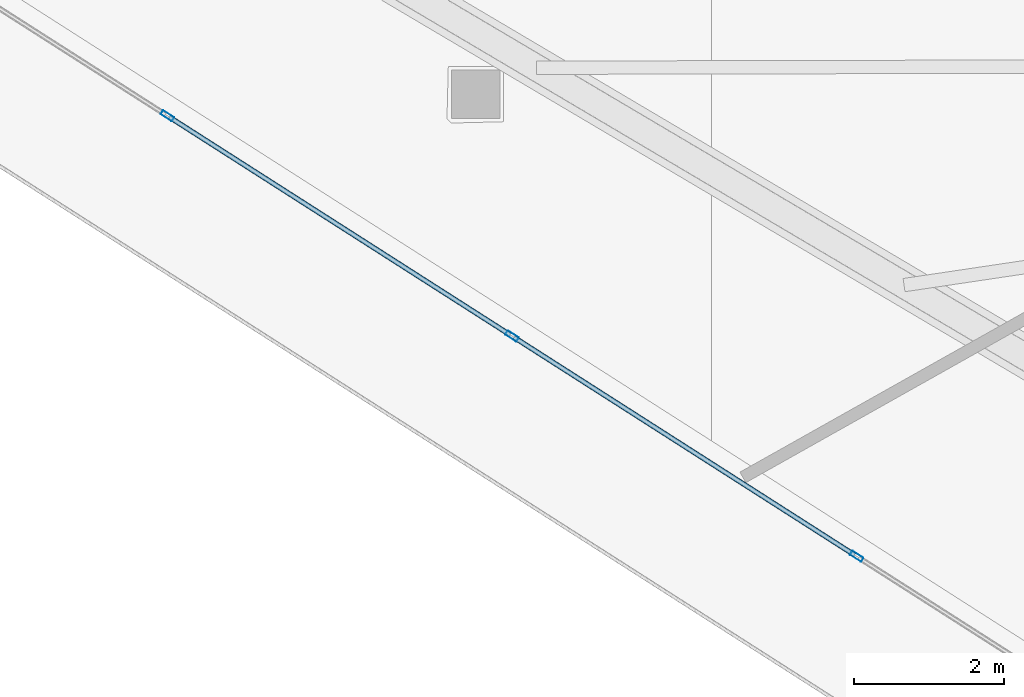
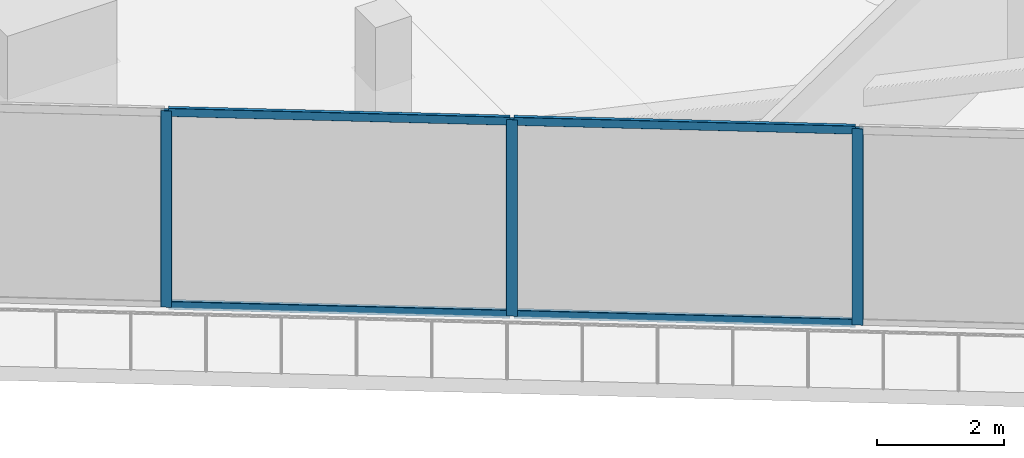
# One storey, part 3 of 40: 7 members, 1 element without a shape of its own.
"""IFC4 building model written with IfcOpenShell, lengths in metres."""

import ifcopenshell
import ifcopenshell.guid

model = None  # the IFC model being written
_history = None  # IfcOwnerHistory: only IFC2X3 demands one
_inside = {}  # id of a spatial element -> (the spatial element, [elements in it])
_under = {}  # id of a project, library or spatial element -> (it, [spatial elements below it])
_declared = {}  # id of a project -> (the project, [libraries it declares])
_typed = {}  # id of a type object -> (the type object, [elements of that type])
_made_of = {}  # id of a material, layer set ... -> (it, [elements and type objects made of it])


def new_model(schema):
    """Start an empty IFC model of exactly this schema.

    Asked for "IFC4X3", IfcOpenShell would pick the latest addendum, in which some entities
    have other attributes; the version numbers below select the first issue.
    IFC2X3 requires an IfcOwnerHistory on every rooted entity: one is made here for all.
    """
    global model, _history
    if schema == "IFC4X3":
        model = ifcopenshell.file(schema_version=(4, 3, 0, 0))
    else:
        model = ifcopenshell.file(schema=schema)
    _inside.clear()
    _under.clear()
    _declared.clear()
    _typed.clear()
    _made_of.clear()
    _history = None
    if model.schema == "IFC2X3":
        org = make("IfcOrganization", Name="unknown")
        user = make(
            "IfcPersonAndOrganization",
            ThePerson=make("IfcPerson", FamilyName="unknown"),
            TheOrganization=org,
        )
        app = make(
            "IfcApplication",
            ApplicationDeveloper=org,
            Version="unknown",
            ApplicationFullName="unknown",
            ApplicationIdentifier="unknown",
        )
        _history = make(
            "IfcOwnerHistory",
            OwningUser=user,
            OwningApplication=app,
            ChangeAction="ADDED",
            CreationDate=0,
        )
    return model


def make(cls, **values):
    """One entity of the class cls with the attributes given. An attribute that is None is left unset."""
    return model.create_entity(
        cls, **{name: value for name, value in values.items() if value is not None}
    )


def rooted(cls, **values):
    """An entity with a GlobalId (a new one), such as an element, a storey or a relation."""
    return make(cls, GlobalId=ifcopenshell.guid.new(), OwnerHistory=_history, **values)


def si_unit(unit_type, name, prefix=None):
    """IfcSIUnit, for example si_unit("LENGTHUNIT", "METRE", prefix="MILLI")."""
    return make("IfcSIUnit", UnitType=unit_type, Prefix=prefix, Name=name)


def assignment(units):
    """IfcUnitAssignment: the units of a project."""
    return None if units is None else make("IfcUnitAssignment", Units=units)


def point(xyz):
    """IfcCartesianPoint."""
    return None if xyz is None else make("IfcCartesianPoint", Coordinates=xyz)


def direction(xyz):
    """IfcDirection."""
    return None if xyz is None else make("IfcDirection", DirectionRatios=xyz)


def frame(location, z_axis=None, x_axis=None):
    """IfcAxis2Placement3D, a coordinate frame: its origin and axes. An axis left out is left unset."""
    return make(
        "IfcAxis2Placement3D",
        Location=point(location),
        Axis=direction(z_axis),
        RefDirection=direction(x_axis),
    )


def frame_2d(location, x_axis=None):
    """IfcAxis2Placement2D, a coordinate frame in the plane: its origin and x axis."""
    return make(
        "IfcAxis2Placement2D", Location=point(location), RefDirection=direction(x_axis)
    )


def origin():
    """The frame at (0, 0, 0) with its axes left unset."""
    return frame((0.0, 0.0, 0.0))


def origin_2d():
    """The frame at (0, 0) in the plane with its x axis left unset."""
    return frame_2d((0.0, 0.0))


def place(relative_to, where):
    """IfcLocalPlacement: puts the frame where relative to a parent placement (None: the world)."""
    return make(
        "IfcLocalPlacement", PlacementRelTo=relative_to, RelativePlacement=where
    )


def context(
    kind, dimensions, precision=None, world=None, true_north=None, identifier=None
):
    """IfcGeometricRepresentationContext, for example the 3D "Model" context."""
    return make(
        "IfcGeometricRepresentationContext",
        ContextIdentifier=identifier,
        ContextType=kind,
        CoordinateSpaceDimension=dimensions,
        Precision=precision,
        WorldCoordinateSystem=world,
        TrueNorth=true_north,
    )


def subcontext(parent, identifier, kind, view, scale=None):
    """IfcGeometricRepresentationSubContext, for example "Body" below "Model"."""
    return make(
        "IfcGeometricRepresentationSubContext",
        ContextIdentifier=identifier,
        ContextType=kind,
        ParentContext=parent,
        TargetScale=scale,
        TargetView=view,
    )


def project(units=None, contexts=None):
    """IfcProject with its units and contexts."""
    return rooted(
        "IfcProject",
        Name="project",
        RepresentationContexts=contexts,
        UnitsInContext=assignment(units),
    )


def spatial(cls, under=None, at=None, **own):
    """A site, building, storey or space (cls), placed at a placement, below another one or the project."""
    s = rooted(cls, ObjectPlacement=at, **own)
    if under is not None:
        _under.setdefault(under.id(), (under, []))[1].append(s)
    return s


def profile(cls, at=None, kind="AREA", **sizes):
    """A parametric profile (cls). Its sizes go by their IFC names, for example OverallWidth=200.0."""
    return make(cls, ProfileType=kind, Position=at, **sizes)


def hollow_rectangle(**sizes):
    """IfcRectangleHollowProfileDef."""
    return profile("IfcRectangleHollowProfileDef", **sizes)


def extrude(swept, where, along, depth):
    """IfcExtrudedAreaSolid: the profile swept, set in the frame where, extruded along a direction by depth."""
    return make(
        "IfcExtrudedAreaSolid",
        SweptArea=swept,
        Position=where,
        ExtrudedDirection=direction(along),
        Depth=depth,
    )


def shape(context_of_items, identifier, shape_type, items):
    """IfcShapeRepresentation: the items that make up one representation, for example the "Body"."""
    return make(
        "IfcShapeRepresentation",
        ContextOfItems=context_of_items,
        RepresentationIdentifier=identifier,
        RepresentationType=shape_type,
        Items=items,
    )


def material(Name=None, Category=None):
    """IfcMaterial."""
    return make("IfcMaterial", Name=Name, Category=Category)


def layer(
    of_material, thickness, ventilated=None, Name=None, Category=None, Priority=None
):
    """IfcMaterialLayer: one layer of a wall or slab, of a material (None: an air gap)."""
    return make(
        "IfcMaterialLayer",
        Material=of_material,
        LayerThickness=thickness,
        IsVentilated=ventilated,
        Name=Name,
        Category=Category,
        Priority=Priority,
    )


def layer_set(layers, Name=None):
    """IfcMaterialLayerSet."""
    return make("IfcMaterialLayerSet", MaterialLayers=layers, LayerSetName=Name)


def material_profile(
    of_material, cross_section, Name=None, Category=None, Priority=None
):
    """IfcMaterialProfile: a cross section and its material."""
    return make(
        "IfcMaterialProfile",
        Name=Name,
        Material=of_material,
        Profile=cross_section,
        Priority=Priority,
        Category=Category,
    )


def profile_set(profiles, Name=None, composite=None):
    """IfcMaterialProfileSet."""
    return make(
        "IfcMaterialProfileSet",
        Name=Name,
        MaterialProfiles=profiles,
        CompositeProfile=composite,
    )


def made_of(thing, what):
    """Note that an element or type object is made of a material, layer set ...; save() writes the relation."""
    if what is not None:
        _made_of.setdefault(what.id(), (what, []))[1].append(thing)
    return thing


def type_object(cls, material=None, **own):
    """A type object (cls), such as IfcWallType, which elements share."""
    return made_of(rooted(cls, **own), material)


def element(
    cls,
    number,
    at=None,
    inside=None,
    cuts=None,
    type_object=None,
    material=None,
    context=None,
    identifier="Body",
    shape_type=None,
    held_by="IfcProductDefinitionShape",
    body=None,
    shapes=None,
    **own,
):
    """One element of the class cls, such as IfcWall. Its Tag is "e" and its number.

    at: its placement. inside: the storey or other place that contains it. cuts: it is an
    opening in that element (IfcRelVoidsElement). A single representation is given by context,
    identifier, shape_type and body (its items); several are given by shapes. held_by: the class
    of the entity that holds the representations. save() writes the other relations.
    """
    e = rooted(cls, Tag="e%d" % number, ObjectPlacement=at, **own)
    if body is not None:
        shapes = [shape(context, identifier, shape_type, body)]
    if shapes is not None:
        e.Representation = make(held_by, Representations=shapes)
    if inside is not None:
        _inside.setdefault(inside.id(), (inside, []))[1].append(e)
    if cuts is not None:
        rooted(
            "IfcRelVoidsElement", RelatingBuildingElement=cuts, RelatedOpeningElement=e
        )
    if type_object is not None:
        _typed.setdefault(type_object.id(), (type_object, []))[1].append(e)
    return made_of(e, material)


def aggregate(whole, parts):
    """IfcRelAggregates: a whole, such as a stair, and the parts it consists of."""
    return rooted("IfcRelAggregates", RelatingObject=whole, RelatedObjects=parts)


def save(model, path):
    """Write the relations noted so far, then the file.

    IfcRelAggregates (storeys below a building ...), IfcRelContainedInSpatialStructure (elements
    in a storey), IfcRelDefinesByType, IfcRelAssociatesMaterial and IfcRelDeclares: one each for
    every whole, place, type object, material and project.
    """
    for whole, parts in _under.values():
        aggregate(whole, parts)
    for where, things in _inside.values():
        rooted(
            "IfcRelContainedInSpatialStructure",
            RelatedElements=things,
            RelatingStructure=where,
        )
    for kind, things in _typed.values():
        rooted("IfcRelDefinesByType", RelatedObjects=things, RelatingType=kind)
    for what, things in _made_of.values():
        rooted("IfcRelAssociatesMaterial", RelatedObjects=things, RelatingMaterial=what)
    for by, libraries in _declared.values():
        rooted("IfcRelDeclares", RelatingContext=by, RelatedDefinitions=libraries)
    model.write(path)


model = new_model("IFC4")

# Units and contexts
model_context = context("Model", 3, precision=1e-05, world=origin(), true_north=direction((0.0, 1.0)))
body_context = subcontext(model_context, "Body", "Model", "MODEL_VIEW")
ifc_project = project(units=[si_unit("LENGTHUNIT", "METRE"), si_unit("AREAUNIT", "SQUARE_METRE"), si_unit("VOLUMEUNIT", "CUBIC_METRE"), si_unit("PLANEANGLEUNIT", "RADIAN"), si_unit("MASSUNIT", "GRAM", prefix="KILO")], contexts=[model_context])

# Site, building, storey
site_placement = place(None, origin())
site = spatial("IfcSite", under=ifc_project, at=site_placement, CompositionType="ELEMENT")
building_placement = place(site_placement, origin())
building = spatial("IfcBuilding", under=site, at=building_placement, Name="Qorvath Tower", CompositionType="ELEMENT")
storey_placement = place(building_placement, frame((0.0, 0.0, 138.14990234375)))
storey = spatial("IfcBuildingStorey", under=building, at=storey_placement, Name="L31", CompositionType="ELEMENT", Elevation=138.14990234375)

# Curtain wall, members
ifc_material_1 = material(Name="Anodised aluminium and triple low-E glass", Category="aluminium")
ifc_layer = layer(ifc_material_1, 0.179931640625)
ifc_layer_set = layer_set([ifc_layer], Name="CW-SYS-3")
curtain_wall_type = type_object("IfcCurtainWallType", Name="CW-SYS-3", PredefinedType="NOTDEFINED", material=ifc_layer_set)
curtain_wall_placement = place(storey_placement, origin())
curtain_wall = element("IfcCurtainWall", 1, at=curtain_wall_placement, inside=storey, type_object=curtain_wall_type, Name="Curtain Wall CW-3 CW-T-L31-2.1", PredefinedType="NOTDEFINED")
ifc_material_2 = material(Name="Anodised aluminium 6063-T6", Category="aluminium")
ifc_material_profile_1 = material_profile(ifc_material_2, hollow_rectangle(XDim=0.06494140625, YDim=0.179931640625, WallThickness=0.00341796875, InnerFilletRadius=0.00341796875, OuterFilletRadius=0.007080078125, at=origin_2d()), Name="CWM 180x65")
ifc_profile_set_1 = profile_set([ifc_material_profile_1], Name="Anodised aluminium 6063-T6")
member_type_1 = type_object("IfcMemberType", Name="CWM-180", PredefinedType="MULLION", material=ifc_profile_set_1)
member_1_placement = place(storey_placement, frame((-52.69140625, -6.712646484375, 0.0), z_axis=(0.0, 0.0, 1.0), x_axis=(0.538534399095, 0.842603525385, 0.0)))
member_1 = element("IfcMember", 2, at=member_1_placement, type_object=member_type_1, Name="CW-3 mullion 2", PredefinedType="MULLION", context=body_context, shape_type="SweptSolid", body=[
    extrude(hollow_rectangle(XDim=0.06494140625, YDim=0.179931640625, WallThickness=0.00341796875, InnerFilletRadius=0.00341796875, OuterFilletRadius=0.007080078125, at=origin_2d()), origin(), (0.0, 0.0, 1.0), 3.780029296875),
])
member_2_placement = place(storey_placement, frame((-48.09619140625, -9.649658203125, 0.0), z_axis=(0.0, 0.0, 1.0), x_axis=(0.538534399095, 0.842603525385, 0.0)))
member_2 = element("IfcMember", 3, at=member_2_placement, type_object=member_type_1, Name="CW-3 mullion 3", PredefinedType="MULLION", context=body_context, shape_type="SweptSolid", body=[
    extrude(hollow_rectangle(XDim=0.06494140625, YDim=0.179931640625, WallThickness=0.00341796875, InnerFilletRadius=0.00341796875, OuterFilletRadius=0.007080078125, at=origin_2d()), origin(), (0.0, 0.0, 1.0), 3.780029296875),
])
member_3_placement = place(storey_placement, frame((-43.501220703125, -12.58642578125, 0.0), z_axis=(0.0, 0.0, 1.0), x_axis=(0.538534399095, 0.842603525385, 0.0)))
member_3 = element("IfcMember", 4, at=member_3_placement, type_object=member_type_1, Name="CW-3 mullion 4", PredefinedType="MULLION", context=body_context, shape_type="SweptSolid", body=[
    extrude(hollow_rectangle(XDim=0.06494140625, YDim=0.179931640625, WallThickness=0.00341796875, InnerFilletRadius=0.00341796875, OuterFilletRadius=0.007080078125, at=origin_2d()), origin(), (0.0, 0.0, 1.0), 3.780029296875),
])
ifc_material_3 = material(Name="Anodised aluminium 6063-T6", Category="aluminium")
ifc_material_profile_2 = material_profile(ifc_material_3, hollow_rectangle(XDim=0.06494140625, YDim=0.159912109375, WallThickness=0.00341796875, InnerFilletRadius=0.00341796875, OuterFilletRadius=0.007080078125, at=origin_2d()), Name="CWT 160x65")
ifc_profile_set_2 = profile_set([ifc_material_profile_2], Name="Anodised aluminium 6063-T6")
member_type_2 = type_object("IfcMemberType", Name="CWT-160", PredefinedType="USERDEFINED", material=ifc_profile_set_2)
member_4_placement = place(storey_placement, frame((-52.6640625, -6.730224609375, 0.032470703125), z_axis=(0.842602030071, -0.538536738691, 0.0), x_axis=(0.538536738691, 0.842602030071, 0.0)))
member_4 = element("IfcMember", 5, at=member_4_placement, type_object=member_type_2, Name="CW-3 transom 2.1", ObjectType="TRANSOM", PredefinedType="USERDEFINED", context=body_context, shape_type="SweptSolid", body=[
    extrude(hollow_rectangle(XDim=0.06494140625, YDim=0.159912109375, WallThickness=0.00341796875, InnerFilletRadius=0.00341796875, OuterFilletRadius=0.007080078125, at=origin_2d()), origin(), (0.0, 0.0, 1.0), 5.388427734375),
])
member_5_placement = place(storey_placement, frame((-52.6640625, -6.730224609375, 3.74755859375), z_axis=(0.842602030071, -0.538536738691, 0.0), x_axis=(0.538536738691, 0.842602030071, 0.0)))
member_5 = element("IfcMember", 6, at=member_5_placement, type_object=member_type_2, Name="CW-3 transom 2.2", ObjectType="TRANSOM", PredefinedType="USERDEFINED", context=body_context, shape_type="SweptSolid", body=[
    extrude(hollow_rectangle(XDim=0.06494140625, YDim=0.159912109375, WallThickness=0.00341796875, InnerFilletRadius=0.00341796875, OuterFilletRadius=0.007080078125, at=origin_2d()), origin(), (0.0, 0.0, 1.0), 5.388427734375),
])
member_6_placement = place(storey_placement, frame((-48.06884765625, -9.6669921875, 0.032470703125), z_axis=(0.842602030071, -0.538536738691, 0.0), x_axis=(0.538536738691, 0.842602030071, 0.0)))
member_6 = element("IfcMember", 7, at=member_6_placement, type_object=member_type_2, Name="CW-3 transom 3.1", ObjectType="TRANSOM", PredefinedType="USERDEFINED", context=body_context, shape_type="SweptSolid", body=[
    extrude(hollow_rectangle(XDim=0.06494140625, YDim=0.159912109375, WallThickness=0.00341796875, InnerFilletRadius=0.00341796875, OuterFilletRadius=0.007080078125, at=origin_2d()), origin(), (0.0, 0.0, 1.0), 5.388427734375),
])
member_7_placement = place(storey_placement, frame((-48.06884765625, -9.6669921875, 3.74755859375), z_axis=(0.842602030071, -0.538536738691, 0.0), x_axis=(0.538536738691, 0.842602030071, 0.0)))
member_7 = element("IfcMember", 8, at=member_7_placement, type_object=member_type_2, Name="CW-3 transom 3.2", ObjectType="TRANSOM", PredefinedType="USERDEFINED", context=body_context, shape_type="SweptSolid", body=[
    extrude(hollow_rectangle(XDim=0.06494140625, YDim=0.159912109375, WallThickness=0.00341796875, InnerFilletRadius=0.00341796875, OuterFilletRadius=0.007080078125, at=origin_2d()), origin(), (0.0, 0.0, 1.0), 5.388427734375),
])
aggregate(curtain_wall, [member_1, member_2, member_3, member_4, member_5, member_6, member_7])

save(model, "model.ifc")
